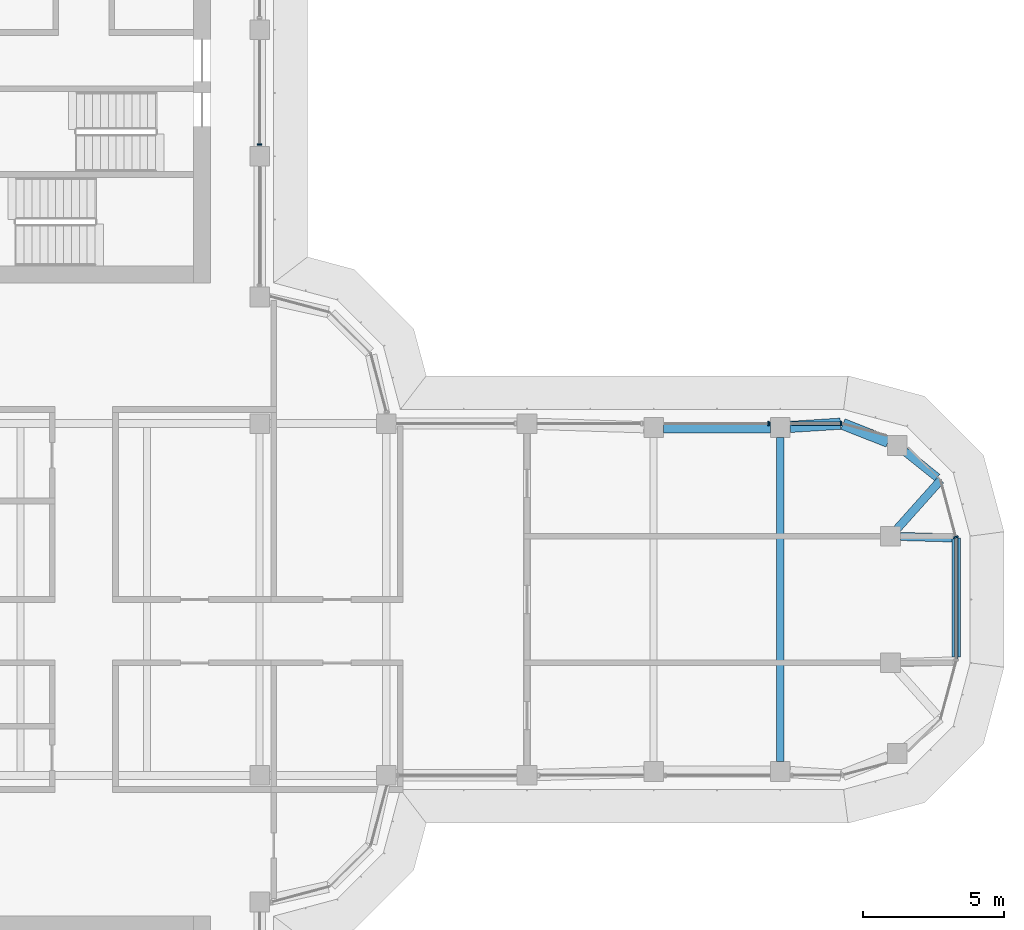
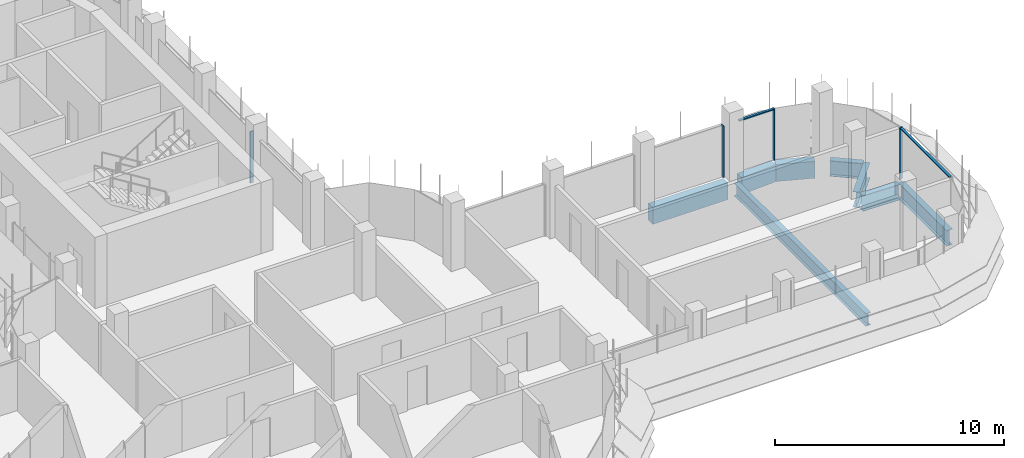
# One storey, part 9 of 19: 8 beams, 6 members, 4 elements without a shape of their own.
"""IFC4 building model written with IfcOpenShell, lengths in metres."""

from ifc_helpers import new_model, si_unit, direction, frame, origin, origin_2d, place, context, subcontext, project, spatial, polyline, rectangle, i_section, outline, extrude, source, transform, mapped, material, material_profile, profile_set, type_object, element, aggregate, save


model = new_model("IFC4")

# Units and contexts
model_context = context("Model", 3, precision=1e-05, world=origin(), true_north=direction((0.0, 1.0)))
body_context = subcontext(model_context, "Body", "Model", "MODEL_VIEW")
ifc_project = project(units=[si_unit("LENGTHUNIT", "METRE"), si_unit("AREAUNIT", "SQUARE_METRE"), si_unit("VOLUMEUNIT", "CUBIC_METRE"), si_unit("PLANEANGLEUNIT", "RADIAN"), si_unit("MASSUNIT", "GRAM", prefix="KILO")], contexts=[model_context])

# Site, building, storey
site_placement = place(None, origin())
site = spatial("IfcSite", under=ifc_project, at=site_placement, CompositionType="ELEMENT")
building_placement = place(site_placement, origin())
building = spatial("IfcBuilding", under=site, at=building_placement, Name="Zarbagh Exchange Tower", CompositionType="ELEMENT")
storey_placement = place(building_placement, frame((0.0, 0.0, 195.39990234375)))
storey = spatial("IfcBuildingStorey", under=building, at=storey_placement, Name="L47", CompositionType="ELEMENT", Elevation=195.39990234375)

# Beams
ifc_material_1 = material(Name="Steel ASTM A992 Gr 50", Category="steel")
ifc_material_profile_1 = material_profile(ifc_material_1, i_section(OverallWidth=0.25390625, OverallDepth=0.67822265625, WebThickness=0.01171875, FlangeThickness=0.016357421875, at=origin_2d()), Name="W27X84")
ifc_profile_set_1 = profile_set([ifc_material_profile_1], Name="Steel ASTM A992 Gr 50")
beam_type_1 = type_object("IfcBeamType", Name="Floor beam W27X84", PredefinedType="BEAM", material=ifc_profile_set_1)
beam_1_placement = place(storey_placement, frame((24.75, -5.760009765625, -0.489013671875), z_axis=(0.0, 1.0, 0.0), x_axis=(-1.0, 0.0, 0.0)))
element("IfcBeam", 1, at=beam_1_placement, inside=storey, type_object=beam_type_1, Name="Steel floor beam", PredefinedType="BEAM", context=body_context, shape_type="SweptSolid", body=[
    extrude(i_section(OverallWidth=0.25390625, OverallDepth=0.67822265625, WebThickness=0.01171875, FlangeThickness=0.016357421875, at=origin_2d()), origin(), (0.0, 0.0, 1.0), 11.52001953125),
])
ifc_material_profile_2 = material_profile(ifc_material_1, i_section(OverallWidth=0.2919921875, OverallDepth=0.835693359375, WebThickness=0.013916015625, FlangeThickness=0.018798828125, at=origin_2d()), Name="W33X118")
ifc_profile_set_2 = profile_set([ifc_material_profile_2], Name="Steel ASTM A992 Gr 50")
beam_type_2 = type_object("IfcBeamType", Name="Floor girder W33X118", PredefinedType="BEAM", material=ifc_profile_set_2)
beam_2_placement = place(storey_placement, frame((29.18115234375, 5.256103515625, -0.567626953125), z_axis=(0.780625690962, -0.624998824487, 0.0), x_axis=(0.624998824487, 0.780625690962, 0.0)))
element("IfcBeam", 2, at=beam_2_placement, inside=storey, type_object=beam_type_2, Name="Steel girder", PredefinedType="BEAM", context=body_context, shape_type="SweptSolid", body=[
    extrude(i_section(OverallWidth=0.2919921875, OverallDepth=0.835693359375, WebThickness=0.013916015625, FlangeThickness=0.018798828125, at=origin_2d()), origin(), (0.0, 0.0, 1.0), 1.469970703125),
])
beam_3_placement = place(storey_placement, frame((30.44873046875, 4.2412109375, -0.567626953125), z_axis=(-0.66615169279, -0.745816279115, 0.0), x_axis=(0.745816279115, -0.66615169279, 0.0)))
element("IfcBeam", 3, at=beam_3_placement, inside=storey, type_object=beam_type_2, Name="Steel girder", PredefinedType="BEAM", context=body_context, shape_type="SweptSolid", body=[
    extrude(i_section(OverallWidth=0.2919921875, OverallDepth=0.835693359375, WebThickness=0.013916015625, FlangeThickness=0.018798828125, at=origin_2d()), origin(), (0.0, 0.0, 1.0), 2.31982421875),
])
beam_4_placement = place(storey_placement, frame((29.02001953125, 2.239990234375, -0.567626953125), z_axis=(0.999603805015, -0.028146633904, 0.0), x_axis=(0.028146633904, 0.999603805015, 0.0)))
element("IfcBeam", 4, at=beam_4_placement, inside=storey, type_object=beam_type_2, Name="Steel girder", PredefinedType="BEAM", context=body_context, shape_type="SweptSolid", body=[
    extrude(i_section(OverallWidth=0.2919921875, OverallDepth=0.835693359375, WebThickness=0.013916015625, FlangeThickness=0.018798828125, at=origin_2d()), origin(), (0.0, 0.0, 1.0), 1.8388671875),
])
beam_5_placement = place(storey_placement, frame((31.0, 2.18408203125, -0.567626953125), z_axis=(0.0, -1.0, 0.0), x_axis=(1.0, 0.0, 0.0)))
element("IfcBeam", 5, at=beam_5_placement, inside=storey, type_object=beam_type_2, Name="Steel girder", PredefinedType="BEAM", context=body_context, shape_type="SweptSolid", body=[
    extrude(i_section(OverallWidth=0.2919921875, OverallDepth=0.835693359375, WebThickness=0.013916015625, FlangeThickness=0.018798828125, at=origin_2d()), origin(), (0.0, 0.0, 1.0), 4.226318359375),
])
ifc_material_2 = material(Name="Concrete C50/60", Category="concrete")
ifc_material_profile_3 = material_profile(ifc_material_2, rectangle(XDim=0.39990234375, YDim=0.89990234375, at=origin_2d()), Name="RC spandrel beam 400 x 900 C50/60")
ifc_profile_set_3 = profile_set([ifc_material_profile_3], Name="Concrete C50/60")
beam_type_3 = type_object("IfcBeamType", Name="RC spandrel beam 400 x 900 C50/60", PredefinedType="SPANDREL", material=ifc_profile_set_3)
beam_6_placement = place(storey_placement, frame((20.60009765625, 6.110107421875, -0.599853515625), z_axis=(1.0, 0.0, 0.0), x_axis=(0.0, 1.0, 0.0)))
element("IfcBeam", 6, at=beam_6_placement, inside=storey, type_object=beam_type_3, Name="RC spandrel beam", PredefinedType="SPANDREL", context=body_context, shape_type="SweptSolid", body=[
    extrude(rectangle(XDim=0.39990234375, YDim=0.89990234375, at=origin_2d()), origin(), (0.0, 0.0, 1.0), 3.7998046875),
])
beam_7_placement = place(storey_placement, frame((25.099365234375, 6.13232421875, -0.599853515625), z_axis=(0.997943601797, 0.064098109429, 0.0), x_axis=(-0.064098109429, 0.997943601797, 0.0)))
element("IfcBeam", 7, at=beam_7_placement, inside=storey, type_object=beam_type_3, Name="RC spandrel beam", PredefinedType="SPANDREL", context=body_context, shape_type="SweptSolid", body=[
    extrude(rectangle(XDim=0.39990234375, YDim=0.89990234375, at=origin_2d()), origin(), (0.0, 0.0, 1.0), 1.7939453125),
])
beam_8_placement = place(storey_placement, frame((26.9755859375, 6.233642578125, -0.599853515625), z_axis=(0.930818525178, -0.365481700207, 0.0), x_axis=(0.365481700207, 0.930818525178, 0.0)))
element("IfcBeam", 8, at=beam_8_placement, inside=storey, type_object=beam_type_3, Name="RC spandrel beam", PredefinedType="SPANDREL", context=body_context, shape_type="SweptSolid", body=[
    extrude(rectangle(XDim=0.39990234375, YDim=0.89990234375, at=origin_2d()), origin(), (0.0, 0.0, 1.0), 1.72607421875),
])

# Curtain wall, member
ifc_material_3 = material(Name="Anodised aluminium frame and glazing", Category="aluminium")
curtain_wall_type = type_object("IfcCurtainWallType", Name="CWB Ribbon glazing, upper zones", PredefinedType="NOTDEFINED", material=ifc_material_3)
curtain_wall_1_placement = place(storey_placement, origin())
curtain_wall_1 = element("IfcCurtainWall", 9, at=curtain_wall_1_placement, inside=storey, type_object=curtain_wall_type, Name="CWB13 curtain wall", PredefinedType="NOTDEFINED")
ifc_material_4 = material(Name="Anodised aluminium frame", Category="aluminium")
member_type_1 = type_object("IfcMemberType", Name="MUB Mullion, anodised aluminium frame", PredefinedType="MULLION", material=ifc_material_4)
shared_shape_1 = source(origin(), body_context, "Body", "SweptSolid", [
    extrude(outline(polyline([(0.0, -0.080078125), (0.06005859375, -0.080078125), (0.06005859375, 0.080078125), (0.0, 0.080078125), (0.0, -0.080078125)])), origin(), (0.0, 0.0, 1.0), 2.75),
])
placement = place(storey_placement, origin())
member_1 = element("IfcMember", 10, at=placement, type_object=member_type_1, Name="CWB13 mullion 1.1", PredefinedType="MULLION", context=body_context, shape_type="MappedRepresentation", body=[
    mapped(shared_shape_1, transform((31.0, 2.18408203125, 0.0), x_axis=(-0.258824779902, 0.965924289636, 0.0), y_axis=(-0.965924289636, -0.258824779902, 0.0), z_axis=(0.0, 0.0, 1.0))),
])
aggregate(curtain_wall_1, [member_1])

# Curtain wall, members
curtain_wall_2_placement = place(storey_placement, origin())
curtain_wall_2 = element("IfcCurtainWall", 11, at=curtain_wall_2_placement, inside=storey, type_object=curtain_wall_type, Name="CWB16 curtain wall", PredefinedType="NOTDEFINED")
member_2 = element("IfcMember", 12, at=placement, type_object=member_type_1, Name="CWB16 mullion 1.1", PredefinedType="MULLION", context=body_context, shape_type="MappedRepresentation", body=[
    mapped(shared_shape_1, transform((26.93408203125, 6.25, 0.0), x_axis=(-1.0, 0.0, 0.0), y_axis=(0.0, -1.0, 0.0), z_axis=(0.0, 0.0, 1.0))),
])
member_3 = element("IfcMember", 13, at=placement, type_object=member_type_1, Name="CWB16 mullion 2.1", PredefinedType="MULLION", context=body_context, shape_type="MappedRepresentation", body=[
    mapped(shared_shape_1, transform((24.35986328125, 6.25, 0.0), x_axis=(-1.0, 0.0, 0.0), y_axis=(0.0, -1.0, 0.0), z_axis=(0.0, 0.0, 1.0))),
])

# Curtain wall, member
curtain_wall_3_placement = place(storey_placement, origin())
curtain_wall_3 = element("IfcCurtainWall", 14, at=curtain_wall_3_placement, inside=storey, type_object=curtain_wall_type, Name="CWB20 curtain wall", PredefinedType="NOTDEFINED")
member_4 = element("IfcMember", 15, at=placement, type_object=member_type_1, Name="CWB20 mullion 2.1", PredefinedType="MULLION", context=body_context, shape_type="MappedRepresentation", body=[
    mapped(shared_shape_1, transform((6.25, 16.14013671875, 0.0), x_axis=(0.0, 1.0, 0.0), y_axis=(-1.0, 0.0, 0.0), z_axis=(0.0, 0.0, 1.0))),
])
aggregate(curtain_wall_3, [member_4])

# Member
member_type_2 = type_object("IfcMemberType", Name="TRB Transom, anodised aluminium frame", PredefinedType="USERDEFINED", material=ifc_material_4)
shared_shape_2 = source(origin(), body_context, "Body", "SweptSolid", [
    extrude(outline(polyline([(-0.06005859375, -0.06005859375), (0.0, -0.06005859375), (0.0, 0.06005859375), (-0.06005859375, 0.06005859375), (-0.06005859375, -0.06005859375)])), origin(), (0.0, 0.0, 1.0), 1.734130859375),
])
member_5 = element("IfcMember", 16, at=placement, type_object=member_type_2, Name="CWB16 transom 1.1", ObjectType="TRANSOM", PredefinedType="USERDEFINED", context=body_context, shape_type="MappedRepresentation", body=[
    mapped(shared_shape_2, transform((26.874267578125, 6.25, 2.75), x_axis=(0.0, 0.0, 1.0), y_axis=(0.0, 1.0, 0.0), z_axis=(-1.0, 0.0, 0.0))),
])

aggregate(curtain_wall_2, [member_2, member_5, member_3])

# Curtain wall, member
curtain_wall_4_placement = place(storey_placement, origin())
curtain_wall_4 = element("IfcCurtainWall", 17, at=curtain_wall_4_placement, inside=storey, type_object=curtain_wall_type, Name="CWB12 curtain wall", PredefinedType="NOTDEFINED")
shared_shape_3 = source(origin(), body_context, "Body", "SweptSolid", [
    extrude(outline(polyline([(-0.06005859375, -0.06005859375), (0.0, -0.06005859375), (0.0, 0.06005859375), (-0.06005859375, 0.06005859375), (-0.06005859375, -0.06005859375)])), origin(), (0.0, 0.0, 1.0), 4.308349609375),
])
member_6 = element("IfcMember", 18, at=placement, type_object=member_type_2, Name="CWB12 transom 1.1", ObjectType="TRANSOM", PredefinedType="USERDEFINED", context=body_context, shape_type="MappedRepresentation", body=[
    mapped(shared_shape_3, transform((31.0, -2.124267578125, 2.75), x_axis=(0.0, 0.0, 1.0), y_axis=(1.0, 0.0, 0.0), z_axis=(0.0, 1.0, 0.0))),
])
aggregate(curtain_wall_4, [member_6])

save(model, "model.ifc")
